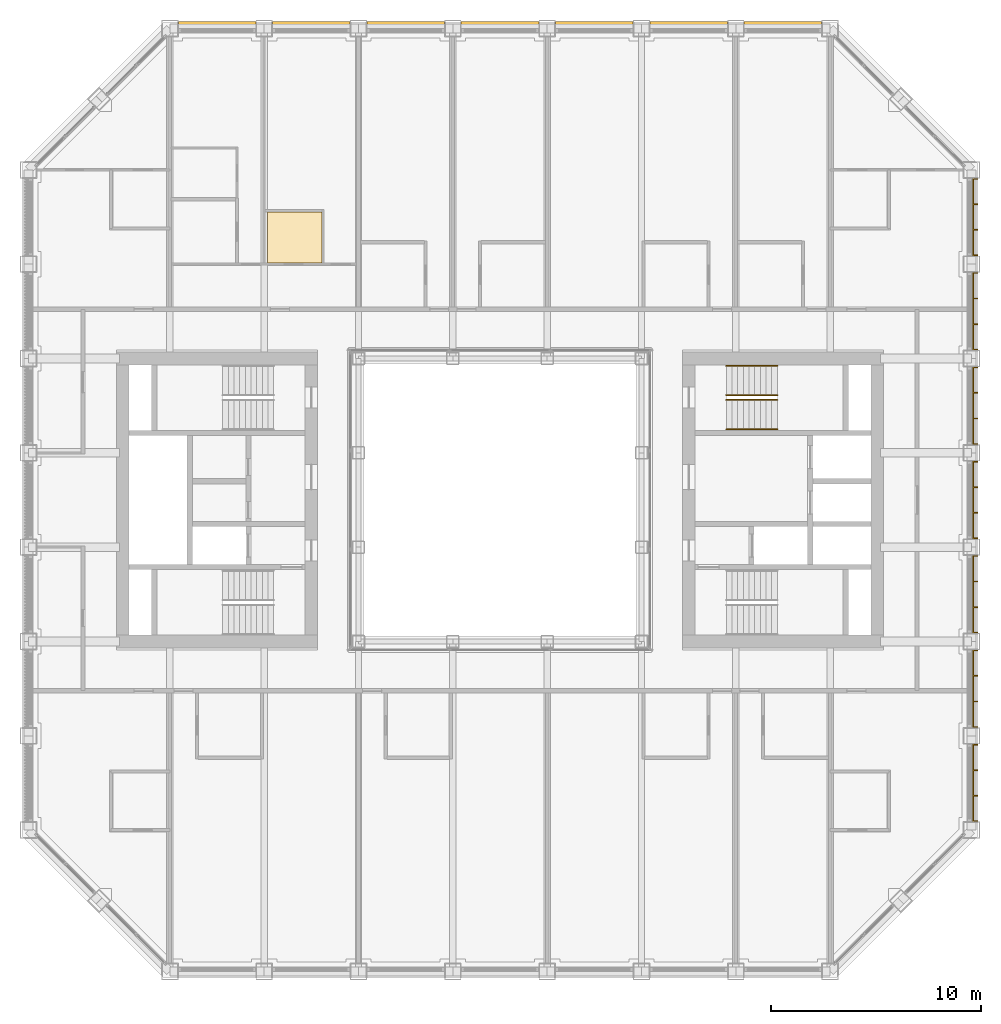
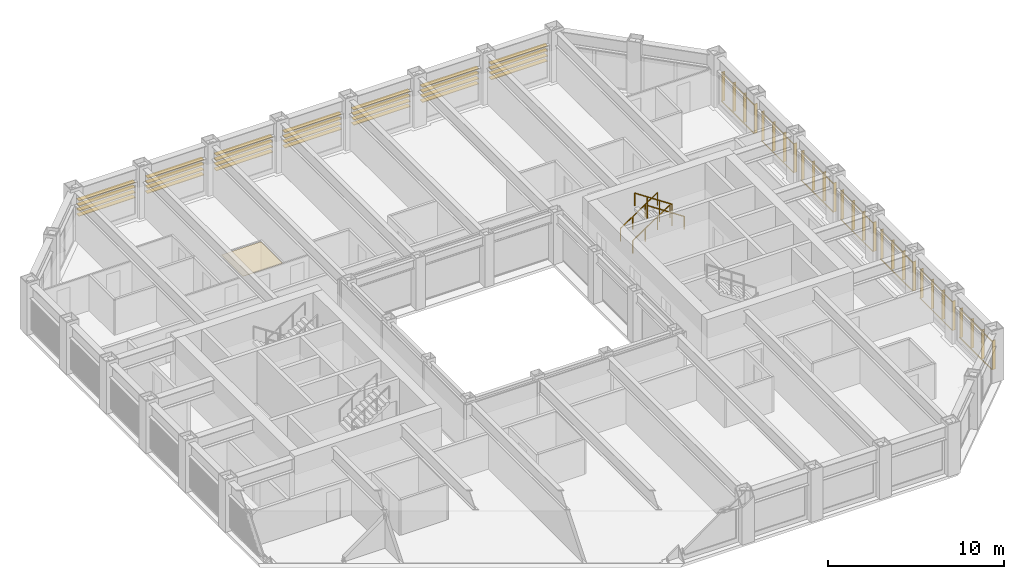
# One storey, part 17 of 17: 4 railings, 2 shading devices, 1 covering.
"""IFC4 building model written with IfcOpenShell, lengths in metres."""

import ifcopenshell
import ifcopenshell.guid

model = None  # the IFC model being written
_history = None  # IfcOwnerHistory: only IFC2X3 demands one
_inside = {}  # id of a spatial element -> (the spatial element, [elements in it])
_under = {}  # id of a project, library or spatial element -> (it, [spatial elements below it])
_declared = {}  # id of a project -> (the project, [libraries it declares])
_typed = {}  # id of a type object -> (the type object, [elements of that type])
_made_of = {}  # id of a material, layer set ... -> (it, [elements and type objects made of it])


def new_model(schema):
    """Start an empty IFC model of exactly this schema.

    Asked for "IFC4X3", IfcOpenShell would pick the latest addendum, in which some entities
    have other attributes; the version numbers below select the first issue.
    IFC2X3 requires an IfcOwnerHistory on every rooted entity: one is made here for all.
    """
    global model, _history
    if schema == "IFC4X3":
        model = ifcopenshell.file(schema_version=(4, 3, 0, 0))
    else:
        model = ifcopenshell.file(schema=schema)
    _inside.clear()
    _under.clear()
    _declared.clear()
    _typed.clear()
    _made_of.clear()
    _history = None
    if model.schema == "IFC2X3":
        org = make("IfcOrganization", Name="unknown")
        user = make(
            "IfcPersonAndOrganization",
            ThePerson=make("IfcPerson", FamilyName="unknown"),
            TheOrganization=org,
        )
        app = make(
            "IfcApplication",
            ApplicationDeveloper=org,
            Version="unknown",
            ApplicationFullName="unknown",
            ApplicationIdentifier="unknown",
        )
        _history = make(
            "IfcOwnerHistory",
            OwningUser=user,
            OwningApplication=app,
            ChangeAction="ADDED",
            CreationDate=0,
        )
    return model


def make(cls, **values):
    """One entity of the class cls with the attributes given. An attribute that is None is left unset."""
    return model.create_entity(
        cls, **{name: value for name, value in values.items() if value is not None}
    )


def rooted(cls, **values):
    """An entity with a GlobalId (a new one), such as an element, a storey or a relation."""
    return make(cls, GlobalId=ifcopenshell.guid.new(), OwnerHistory=_history, **values)


def si_unit(unit_type, name, prefix=None):
    """IfcSIUnit, for example si_unit("LENGTHUNIT", "METRE", prefix="MILLI")."""
    return make("IfcSIUnit", UnitType=unit_type, Prefix=prefix, Name=name)


def assignment(units):
    """IfcUnitAssignment: the units of a project."""
    return None if units is None else make("IfcUnitAssignment", Units=units)


def point(xyz):
    """IfcCartesianPoint."""
    return None if xyz is None else make("IfcCartesianPoint", Coordinates=xyz)


def direction(xyz):
    """IfcDirection."""
    return None if xyz is None else make("IfcDirection", DirectionRatios=xyz)


def frame(location, z_axis=None, x_axis=None):
    """IfcAxis2Placement3D, a coordinate frame: its origin and axes. An axis left out is left unset."""
    return make(
        "IfcAxis2Placement3D",
        Location=point(location),
        Axis=direction(z_axis),
        RefDirection=direction(x_axis),
    )


def frame_2d(location, x_axis=None):
    """IfcAxis2Placement2D, a coordinate frame in the plane: its origin and x axis."""
    return make(
        "IfcAxis2Placement2D", Location=point(location), RefDirection=direction(x_axis)
    )


def origin():
    """The frame at (0, 0, 0) with its axes left unset."""
    return frame((0.0, 0.0, 0.0))


def origin_2d():
    """The frame at (0, 0) in the plane with its x axis left unset."""
    return frame_2d((0.0, 0.0))


def place(relative_to, where):
    """IfcLocalPlacement: puts the frame where relative to a parent placement (None: the world)."""
    return make(
        "IfcLocalPlacement", PlacementRelTo=relative_to, RelativePlacement=where
    )


def context(
    kind, dimensions, precision=None, world=None, true_north=None, identifier=None
):
    """IfcGeometricRepresentationContext, for example the 3D "Model" context."""
    return make(
        "IfcGeometricRepresentationContext",
        ContextIdentifier=identifier,
        ContextType=kind,
        CoordinateSpaceDimension=dimensions,
        Precision=precision,
        WorldCoordinateSystem=world,
        TrueNorth=true_north,
    )


def subcontext(parent, identifier, kind, view, scale=None):
    """IfcGeometricRepresentationSubContext, for example "Body" below "Model"."""
    return make(
        "IfcGeometricRepresentationSubContext",
        ContextIdentifier=identifier,
        ContextType=kind,
        ParentContext=parent,
        TargetScale=scale,
        TargetView=view,
    )


def project(units=None, contexts=None):
    """IfcProject with its units and contexts."""
    return rooted(
        "IfcProject",
        Name="project",
        RepresentationContexts=contexts,
        UnitsInContext=assignment(units),
    )


def spatial(cls, under=None, at=None, **own):
    """A site, building, storey or space (cls), placed at a placement, below another one or the project."""
    s = rooted(cls, ObjectPlacement=at, **own)
    if under is not None:
        _under.setdefault(under.id(), (under, []))[1].append(s)
    return s


def point_list(points):
    """IfcCartesianPointList2D or 3D."""
    cls = (
        "IfcCartesianPointList2D" if len(points[0]) == 2 else "IfcCartesianPointList3D"
    )
    return make(cls, CoordList=points)


def line(*indices):
    """IfcLineIndex: a straight run through numbered points of an indexed curve."""
    return model.create_entity("IfcLineIndex", indices)


def indexed_curve(points, segments=None, self_intersect=None):
    """IfcIndexedPolyCurve: lines and arcs through numbered points (the first is 1)."""
    return make(
        "IfcIndexedPolyCurve",
        Points=point_list(points),
        Segments=segments,
        SelfIntersect=self_intersect,
    )


def profile(cls, at=None, kind="AREA", **sizes):
    """A parametric profile (cls). Its sizes go by their IFC names, for example OverallWidth=200.0."""
    return make(cls, ProfileType=kind, Position=at, **sizes)


def rectangle(**sizes):
    """IfcRectangleProfileDef."""
    return profile("IfcRectangleProfileDef", **sizes)


def circle(**sizes):
    """IfcCircleProfileDef."""
    return profile("IfcCircleProfileDef", **sizes)


def outline(outer, holes=None, kind="AREA"):
    """IfcArbitraryClosedProfileDef: a profile drawn as a closed curve; with holes, ...WithVoids."""
    if holes is None:
        return make("IfcArbitraryClosedProfileDef", ProfileType=kind, OuterCurve=outer)
    return make(
        "IfcArbitraryProfileDefWithVoids",
        ProfileType=kind,
        OuterCurve=outer,
        InnerCurves=holes,
    )


def extrude(swept, where, along, depth):
    """IfcExtrudedAreaSolid: the profile swept, set in the frame where, extruded along a direction by depth."""
    return make(
        "IfcExtrudedAreaSolid",
        SweptArea=swept,
        Position=where,
        ExtrudedDirection=direction(along),
        Depth=depth,
    )


def shape(context_of_items, identifier, shape_type, items):
    """IfcShapeRepresentation: the items that make up one representation, for example the "Body"."""
    return make(
        "IfcShapeRepresentation",
        ContextOfItems=context_of_items,
        RepresentationIdentifier=identifier,
        RepresentationType=shape_type,
        Items=items,
    )


def material(Name=None, Category=None):
    """IfcMaterial."""
    return make("IfcMaterial", Name=Name, Category=Category)


def layer(
    of_material, thickness, ventilated=None, Name=None, Category=None, Priority=None
):
    """IfcMaterialLayer: one layer of a wall or slab, of a material (None: an air gap)."""
    return make(
        "IfcMaterialLayer",
        Material=of_material,
        LayerThickness=thickness,
        IsVentilated=ventilated,
        Name=Name,
        Category=Category,
        Priority=Priority,
    )


def layer_set(layers, Name=None):
    """IfcMaterialLayerSet."""
    return make("IfcMaterialLayerSet", MaterialLayers=layers, LayerSetName=Name)


def made_of(thing, what):
    """Note that an element or type object is made of a material, layer set ...; save() writes the relation."""
    if what is not None:
        _made_of.setdefault(what.id(), (what, []))[1].append(thing)
    return thing


def type_object(cls, material=None, **own):
    """A type object (cls), such as IfcWallType, which elements share."""
    return made_of(rooted(cls, **own), material)


def element(
    cls,
    number,
    at=None,
    inside=None,
    cuts=None,
    type_object=None,
    material=None,
    context=None,
    identifier="Body",
    shape_type=None,
    held_by="IfcProductDefinitionShape",
    body=None,
    shapes=None,
    **own,
):
    """One element of the class cls, such as IfcWall. Its Tag is "e" and its number.

    at: its placement. inside: the storey or other place that contains it. cuts: it is an
    opening in that element (IfcRelVoidsElement). A single representation is given by context,
    identifier, shape_type and body (its items); several are given by shapes. held_by: the class
    of the entity that holds the representations. save() writes the other relations.
    """
    e = rooted(cls, Tag="e%d" % number, ObjectPlacement=at, **own)
    if body is not None:
        shapes = [shape(context, identifier, shape_type, body)]
    if shapes is not None:
        e.Representation = make(held_by, Representations=shapes)
    if inside is not None:
        _inside.setdefault(inside.id(), (inside, []))[1].append(e)
    if cuts is not None:
        rooted(
            "IfcRelVoidsElement", RelatingBuildingElement=cuts, RelatedOpeningElement=e
        )
    if type_object is not None:
        _typed.setdefault(type_object.id(), (type_object, []))[1].append(e)
    return made_of(e, material)


def aggregate(whole, parts):
    """IfcRelAggregates: a whole, such as a stair, and the parts it consists of."""
    return rooted("IfcRelAggregates", RelatingObject=whole, RelatedObjects=parts)


def save(model, path):
    """Write the relations noted so far, then the file.

    IfcRelAggregates (storeys below a building ...), IfcRelContainedInSpatialStructure (elements
    in a storey), IfcRelDefinesByType, IfcRelAssociatesMaterial and IfcRelDeclares: one each for
    every whole, place, type object, material and project.
    """
    for whole, parts in _under.values():
        aggregate(whole, parts)
    for where, things in _inside.values():
        rooted(
            "IfcRelContainedInSpatialStructure",
            RelatedElements=things,
            RelatingStructure=where,
        )
    for kind, things in _typed.values():
        rooted("IfcRelDefinesByType", RelatedObjects=things, RelatingType=kind)
    for what, things in _made_of.values():
        rooted("IfcRelAssociatesMaterial", RelatedObjects=things, RelatingMaterial=what)
    for by, libraries in _declared.values():
        rooted("IfcRelDeclares", RelatingContext=by, RelatedDefinitions=libraries)
    model.write(path)


model = new_model("IFC4")

# Units and contexts
model_context = context("Model", 3, precision=1e-05, world=origin(), true_north=direction((0.0, 1.0)))
body_context = subcontext(model_context, "Body", "Model", "MODEL_VIEW")
ifc_project = project(units=[si_unit("LENGTHUNIT", "METRE"), si_unit("AREAUNIT", "SQUARE_METRE"), si_unit("VOLUMEUNIT", "CUBIC_METRE"), si_unit("PLANEANGLEUNIT", "RADIAN"), si_unit("MASSUNIT", "GRAM", prefix="KILO")], contexts=[model_context])

# Site, building, storey
site_placement = place(None, origin())
site = spatial("IfcSite", under=ifc_project, at=site_placement, CompositionType="ELEMENT")
building_placement = place(site_placement, origin())
building = spatial("IfcBuilding", under=site, at=building_placement, Name="Msasa Ring Tower", CompositionType="ELEMENT")
storey_placement = place(building_placement, frame((0.0, 0.0, 176.0)))
storey = spatial("IfcBuildingStorey", under=building, at=storey_placement, Name="L46", CompositionType="ELEMENT", Elevation=176.0)

# Shading device
ifc_material_1 = material(Name="Extruded terracotta on aluminium carriers", Category="masonry")
shading_device_type_1 = type_object("IfcShadingDeviceType", Name="BS2 TERRACOTTA FIN SCREEN 40x200 AT 1350", PredefinedType="USERDEFINED", material=ifc_material_1)
shading_device_1_placement = place(storey_placement, origin())
element("IfcShadingDevice", 1, at=shading_device_1_placement, inside=storey, type_object=shading_device_type_1, Name="Terracotta fin screen E L46", ObjectType="BAGUETTE", PredefinedType="USERDEFINED", context=body_context, shape_type="SweptSolid", body=[
    extrude(rectangle(XDim=0.06005859375, YDim=0.0400390625, at=origin_2d()), frame((22.580078125, -15.35009765625, 0.330078125), z_axis=(0.0, 1.0, 0.0), x_axis=(0.0, 0.0, 1.0)), (0.0, 0.0, 1.0), 3.699951171875),
    extrude(rectangle(XDim=0.06005859375, YDim=0.0400390625, at=origin_2d()), frame((22.580078125, -15.35009765625, 2.299072265625), z_axis=(0.0, 1.0, 0.0), x_axis=(0.0, 0.0, 1.0)), (0.0, 0.0, 1.0), 3.699951171875),
    extrude(rectangle(XDim=0.0400390625, YDim=0.199951171875, at=origin_2d()), frame((22.695068359375, -15.330078125, 0.300048828125), z_axis=(0.0, 0.0, 1.0), x_axis=(0.0, 1.0, 0.0)), (0.0, 0.0, 1.0), 2.029052734375),
    extrude(rectangle(XDim=0.0400390625, YDim=0.199951171875, at=origin_2d()), frame((22.695068359375, -14.110107421875, 0.300048828125), z_axis=(0.0, 0.0, 1.0), x_axis=(0.0, 1.0, 0.0)), (0.0, 0.0, 1.0), 2.029052734375),
    extrude(rectangle(XDim=0.0400390625, YDim=0.199951171875, at=origin_2d()), frame((22.695068359375, -12.889892578125, 0.300048828125), z_axis=(0.0, 0.0, 1.0), x_axis=(0.0, 1.0, 0.0)), (0.0, 0.0, 1.0), 2.029052734375),
    extrude(rectangle(XDim=0.0400390625, YDim=0.199951171875, at=origin_2d()), frame((22.695068359375, -11.669921875, 0.300048828125), z_axis=(0.0, 0.0, 1.0), x_axis=(0.0, 1.0, 0.0)), (0.0, 0.0, 1.0), 2.029052734375),
    extrude(rectangle(XDim=0.06005859375, YDim=0.0400390625, at=origin_2d()), frame((22.580078125, -10.85009765625, 0.330078125), z_axis=(0.0, 1.0, 0.0), x_axis=(0.0, 0.0, 1.0)), (0.0, 0.0, 1.0), 3.699951171875),
    extrude(rectangle(XDim=0.06005859375, YDim=0.0400390625, at=origin_2d()), frame((22.580078125, -10.85009765625, 2.299072265625), z_axis=(0.0, 1.0, 0.0), x_axis=(0.0, 0.0, 1.0)), (0.0, 0.0, 1.0), 3.699951171875),
    extrude(rectangle(XDim=0.0400390625, YDim=0.199951171875, at=origin_2d()), frame((22.695068359375, -10.830078125, 0.300048828125), z_axis=(0.0, 0.0, 1.0), x_axis=(0.0, 1.0, 0.0)), (0.0, 0.0, 1.0), 2.029052734375),
    extrude(rectangle(XDim=0.0400390625, YDim=0.199951171875, at=origin_2d()), frame((22.695068359375, -9.610107421875, 0.300048828125), z_axis=(0.0, 0.0, 1.0), x_axis=(0.0, 1.0, 0.0)), (0.0, 0.0, 1.0), 2.029052734375),
    extrude(rectangle(XDim=0.0400390625, YDim=0.199951171875, at=origin_2d()), frame((22.695068359375, -8.389892578125, 0.300048828125), z_axis=(0.0, 0.0, 1.0), x_axis=(0.0, 1.0, 0.0)), (0.0, 0.0, 1.0), 2.029052734375),
    extrude(rectangle(XDim=0.0400390625, YDim=0.199951171875, at=origin_2d()), frame((22.695068359375, -7.169921875, 0.300048828125), z_axis=(0.0, 0.0, 1.0), x_axis=(0.0, 1.0, 0.0)), (0.0, 0.0, 1.0), 2.029052734375),
    extrude(rectangle(XDim=0.06005859375, YDim=0.0400390625, at=origin_2d()), frame((22.580078125, -6.35009765625, 0.330078125), z_axis=(0.0, 1.0, 0.0), x_axis=(0.0, 0.0, 1.0)), (0.0, 0.0, 1.0), 3.699951171875),
    extrude(rectangle(XDim=0.06005859375, YDim=0.0400390625, at=origin_2d()), frame((22.580078125, -6.35009765625, 2.299072265625), z_axis=(0.0, 1.0, 0.0), x_axis=(0.0, 0.0, 1.0)), (0.0, 0.0, 1.0), 3.699951171875),
    extrude(rectangle(XDim=0.0400390625, YDim=0.199951171875, at=origin_2d()), frame((22.695068359375, -6.330078125, 0.300048828125), z_axis=(0.0, 0.0, 1.0), x_axis=(0.0, 1.0, 0.0)), (0.0, 0.0, 1.0), 2.029052734375),
    extrude(rectangle(XDim=0.0400390625, YDim=0.199951171875, at=origin_2d()), frame((22.695068359375, -5.110107421875, 0.300048828125), z_axis=(0.0, 0.0, 1.0), x_axis=(0.0, 1.0, 0.0)), (0.0, 0.0, 1.0), 2.029052734375),
    extrude(rectangle(XDim=0.0400390625, YDim=0.199951171875, at=origin_2d()), frame((22.695068359375, -3.889892578125, 0.300048828125), z_axis=(0.0, 0.0, 1.0), x_axis=(0.0, 1.0, 0.0)), (0.0, 0.0, 1.0), 2.029052734375),
    extrude(rectangle(XDim=0.0400390625, YDim=0.199951171875, at=origin_2d()), frame((22.695068359375, -2.669921875, 0.300048828125), z_axis=(0.0, 0.0, 1.0), x_axis=(0.0, 1.0, 0.0)), (0.0, 0.0, 1.0), 2.029052734375),
    extrude(rectangle(XDim=0.06005859375, YDim=0.0400390625, at=origin_2d()), frame((22.580078125, -1.85009765625, 0.330078125), z_axis=(0.0, 1.0, 0.0), x_axis=(0.0, 0.0, 1.0)), (0.0, 0.0, 1.0), 3.699951171875),
    extrude(rectangle(XDim=0.06005859375, YDim=0.0400390625, at=origin_2d()), frame((22.580078125, -1.85009765625, 2.299072265625), z_axis=(0.0, 1.0, 0.0), x_axis=(0.0, 0.0, 1.0)), (0.0, 0.0, 1.0), 3.699951171875),
    extrude(rectangle(XDim=0.0400390625, YDim=0.199951171875, at=origin_2d()), frame((22.695068359375, -1.830078125, 0.300048828125), z_axis=(0.0, 0.0, 1.0), x_axis=(0.0, 1.0, 0.0)), (0.0, 0.0, 1.0), 2.029052734375),
    extrude(rectangle(XDim=0.0400390625, YDim=0.199951171875, at=origin_2d()), frame((22.695068359375, -0.610107421875, 0.300048828125), z_axis=(0.0, 0.0, 1.0), x_axis=(0.0, 1.0, 0.0)), (0.0, 0.0, 1.0), 2.029052734375),
    extrude(rectangle(XDim=0.0400390625, YDim=0.199951171875, at=origin_2d()), frame((22.695068359375, 0.610107421875, 0.300048828125), z_axis=(0.0, 0.0, 1.0), x_axis=(0.0, 1.0, 0.0)), (0.0, 0.0, 1.0), 2.029052734375),
    extrude(rectangle(XDim=0.0400390625, YDim=0.199951171875, at=origin_2d()), frame((22.695068359375, 1.830078125, 0.300048828125), z_axis=(0.0, 0.0, 1.0), x_axis=(0.0, 1.0, 0.0)), (0.0, 0.0, 1.0), 2.029052734375),
    extrude(rectangle(XDim=0.06005859375, YDim=0.0400390625, at=origin_2d()), frame((22.580078125, 2.64990234375, 0.330078125), z_axis=(0.0, 1.0, 0.0), x_axis=(0.0, 0.0, 1.0)), (0.0, 0.0, 1.0), 3.699951171875),
    extrude(rectangle(XDim=0.06005859375, YDim=0.0400390625, at=origin_2d()), frame((22.580078125, 2.64990234375, 2.299072265625), z_axis=(0.0, 1.0, 0.0), x_axis=(0.0, 0.0, 1.0)), (0.0, 0.0, 1.0), 3.699951171875),
    extrude(rectangle(XDim=0.0400390625, YDim=0.199951171875, at=origin_2d()), frame((22.695068359375, 2.669921875, 0.300048828125), z_axis=(0.0, 0.0, 1.0), x_axis=(0.0, 1.0, 0.0)), (0.0, 0.0, 1.0), 2.029052734375),
    extrude(rectangle(XDim=0.0400390625, YDim=0.199951171875, at=origin_2d()), frame((22.695068359375, 3.889892578125, 0.300048828125), z_axis=(0.0, 0.0, 1.0), x_axis=(0.0, 1.0, 0.0)), (0.0, 0.0, 1.0), 2.029052734375),
    extrude(rectangle(XDim=0.0400390625, YDim=0.199951171875, at=origin_2d()), frame((22.695068359375, 5.110107421875, 0.300048828125), z_axis=(0.0, 0.0, 1.0), x_axis=(0.0, 1.0, 0.0)), (0.0, 0.0, 1.0), 2.029052734375),
    extrude(rectangle(XDim=0.0400390625, YDim=0.199951171875, at=origin_2d()), frame((22.695068359375, 6.330078125, 0.300048828125), z_axis=(0.0, 0.0, 1.0), x_axis=(0.0, 1.0, 0.0)), (0.0, 0.0, 1.0), 2.029052734375),
    extrude(rectangle(XDim=0.06005859375, YDim=0.0400390625, at=origin_2d()), frame((22.580078125, 7.14990234375, 0.330078125), z_axis=(0.0, 1.0, 0.0), x_axis=(0.0, 0.0, 1.0)), (0.0, 0.0, 1.0), 3.699951171875),
    extrude(rectangle(XDim=0.06005859375, YDim=0.0400390625, at=origin_2d()), frame((22.580078125, 7.14990234375, 2.299072265625), z_axis=(0.0, 1.0, 0.0), x_axis=(0.0, 0.0, 1.0)), (0.0, 0.0, 1.0), 3.699951171875),
    extrude(rectangle(XDim=0.0400390625, YDim=0.199951171875, at=origin_2d()), frame((22.695068359375, 7.169921875, 0.300048828125), z_axis=(0.0, 0.0, 1.0), x_axis=(0.0, 1.0, 0.0)), (0.0, 0.0, 1.0), 2.029052734375),
    extrude(rectangle(XDim=0.0400390625, YDim=0.199951171875, at=origin_2d()), frame((22.695068359375, 8.389892578125, 0.300048828125), z_axis=(0.0, 0.0, 1.0), x_axis=(0.0, 1.0, 0.0)), (0.0, 0.0, 1.0), 2.029052734375),
    extrude(rectangle(XDim=0.0400390625, YDim=0.199951171875, at=origin_2d()), frame((22.695068359375, 9.610107421875, 0.300048828125), z_axis=(0.0, 0.0, 1.0), x_axis=(0.0, 1.0, 0.0)), (0.0, 0.0, 1.0), 2.029052734375),
    extrude(rectangle(XDim=0.0400390625, YDim=0.199951171875, at=origin_2d()), frame((22.695068359375, 10.830078125, 0.300048828125), z_axis=(0.0, 0.0, 1.0), x_axis=(0.0, 1.0, 0.0)), (0.0, 0.0, 1.0), 2.029052734375),
    extrude(rectangle(XDim=0.06005859375, YDim=0.0400390625, at=origin_2d()), frame((22.580078125, 11.64990234375, 0.330078125), z_axis=(0.0, 1.0, 0.0), x_axis=(0.0, 0.0, 1.0)), (0.0, 0.0, 1.0), 3.699951171875),
    extrude(rectangle(XDim=0.06005859375, YDim=0.0400390625, at=origin_2d()), frame((22.580078125, 11.64990234375, 2.299072265625), z_axis=(0.0, 1.0, 0.0), x_axis=(0.0, 0.0, 1.0)), (0.0, 0.0, 1.0), 3.699951171875),
    extrude(rectangle(XDim=0.0400390625, YDim=0.199951171875, at=origin_2d()), frame((22.695068359375, 11.669921875, 0.300048828125), z_axis=(0.0, 0.0, 1.0), x_axis=(0.0, 1.0, 0.0)), (0.0, 0.0, 1.0), 2.029052734375),
    extrude(rectangle(XDim=0.0400390625, YDim=0.199951171875, at=origin_2d()), frame((22.695068359375, 12.889892578125, 0.300048828125), z_axis=(0.0, 0.0, 1.0), x_axis=(0.0, 1.0, 0.0)), (0.0, 0.0, 1.0), 2.029052734375),
    extrude(rectangle(XDim=0.0400390625, YDim=0.199951171875, at=origin_2d()), frame((22.695068359375, 14.110107421875, 0.300048828125), z_axis=(0.0, 0.0, 1.0), x_axis=(0.0, 1.0, 0.0)), (0.0, 0.0, 1.0), 2.029052734375),
    extrude(rectangle(XDim=0.0400390625, YDim=0.199951171875, at=origin_2d()), frame((22.695068359375, 15.330078125, 0.300048828125), z_axis=(0.0, 0.0, 1.0), x_axis=(0.0, 1.0, 0.0)), (0.0, 0.0, 1.0), 2.029052734375),
])

# Covering
ifc_material_2 = material(Name="Perforated aluminium ceiling pans on a steel grid", Category="steel")
ifc_layer = layer(ifc_material_2, 0.02490234375)
ifc_layer_set = layer_set([ifc_layer], Name="C4 PERFORATED METAL PAN CEILING 25")
covering_type = type_object("IfcCoveringType", Name="C4 PERFORATED METAL PAN CEILING 25", PredefinedType="CEILING", material=ifc_layer_set)
covering_placement = place(storey_placement, frame((0.0, 0.0, 2.39990234375)))
element("IfcCovering", 2, at=covering_placement, inside=storey, type_object=covering_type, Name="Perforated Metal Pan Ceiling 25 L46", PredefinedType="CEILING", context=body_context, shape_type="SweptSolid", body=[
    extrude(outline(indexed_curve([(-8.50048828125, 13.74951171875), (-8.50048828125, 11.300537109375), (-11.095703125, 11.300537109375), (-11.095703125, 13.74951171875)], segments=[line(1, 2, 3, 4, 1)], self_intersect=False)), origin(), (0.0, 0.0, 1.0), 0.025146484375),
])

# Railings
ifc_material_3 = material(Name="Stainless steel", Category="steel")
railing_type = type_object("IfcRailingType", Name="HR1 HANDRAIL 900", PredefinedType="HANDRAIL", material=ifc_material_3)
for number, where, name in (
    (3, (10.800048828125, 5.0, 0.179931640625), "Handrail stair SEB L46 1"),
    (4, (10.800048828125, 6.39990234375, 0.179931640625), "Handrail stair SEB L46 2"),
):
    element("IfcRailing", number, at=place(storey_placement, frame(where)), inside=storey, type_object=railing_type, Name=name, PredefinedType="HANDRAIL", context=body_context, shape_type="SweptSolid", body=[
        extrude(circle(Radius=0.02392578125, at=origin_2d()), frame((0.0, 0.0, 0.8759765625), z_axis=(0.832024571796, 0.0, 0.554738778101), x_axis=(0.0, 1.0, 0.0)), (0.0, 0.0, 1.0), 2.92041015625),
        extrude(circle(Radius=0.02099609375, at=origin_2d()), origin(), (0.0, 0.0, 1.0), 0.851806640625),
        extrude(circle(Radius=0.02099609375, at=origin_2d()), frame((0.81005859375, 0.0, 0.5400390625)), (0.0, 0.0, 1.0), 0.851806640625),
        extrude(circle(Radius=0.02099609375, at=origin_2d()), frame((1.619873046875, 0.0, 1.080078125)), (0.0, 0.0, 1.0), 0.851806640625),
        extrude(circle(Radius=0.02099609375, at=origin_2d()), frame((2.429931640625, 0.0, 1.6201171875)), (0.0, 0.0, 1.0), 0.851806640625),
    ])
for number, where, name in (
    (5, (13.22998046875, 3.375, 1.97998046875), "Handrail stair SEB L46 3"),
    (6, (13.22998046875, 4.77490234375, 1.97998046875), "Handrail stair SEB L46 4"),
):
    element("IfcRailing", number, at=place(storey_placement, frame(where)), inside=storey, type_object=railing_type, Name=name, PredefinedType="HANDRAIL", context=body_context, shape_type="SweptSolid", body=[
        extrude(circle(Radius=0.02392578125, at=origin_2d()), frame((0.0, 0.0, 0.8759765625), z_axis=(-0.832024571796, 0.0, 0.554738778101), x_axis=(0.0, -1.0, 0.0)), (0.0, 0.0, 1.0), 2.92041015625),
        extrude(circle(Radius=0.02099609375, at=origin_2d()), origin(), (0.0, 0.0, 1.0), 0.851806640625),
        extrude(circle(Radius=0.02099609375, at=origin_2d()), frame((-0.81005859375, 0.0, 0.5400390625)), (0.0, 0.0, 1.0), 0.851806640625),
        extrude(circle(Radius=0.02099609375, at=origin_2d()), frame((-1.619873046875, 0.0, 1.080078125)), (0.0, 0.0, 1.0), 0.851806640625),
        extrude(circle(Radius=0.02099609375, at=origin_2d()), frame((-2.429931640625, 0.0, 1.6201171875)), (0.0, 0.0, 1.0), 0.851806640625),
    ])

# Shading device
ifc_material_4 = material(Name="Extruded terracotta blades", Category="masonry")
shading_device_type_2 = type_object("IfcShadingDeviceType", Name="SS1 TERRACOTTA SUNSHADE 4 BLADES 300x40 AT 350", PredefinedType="USERDEFINED", material=ifc_material_4)
shading_device_2_placement = place(storey_placement, origin())
element("IfcShadingDevice", 7, at=shading_device_2_placement, inside=storey, type_object=shading_device_type_2, Name="Terracotta sunshade N L46", ObjectType="SUNSHADE", PredefinedType="USERDEFINED", context=body_context, shape_type="SweptSolid", body=[
    extrude(rectangle(XDim=0.0400390625, YDim=0.300048828125, at=origin_2d()), frame((-15.35009765625, 22.679931640625, 2.30908203125), z_axis=(1.0, 0.0, 0.0), x_axis=(0.0, 0.0, 1.0)), (0.0, 0.0, 1.0), 3.699951171875),
    extrude(rectangle(XDim=0.0400390625, YDim=0.300048828125, at=origin_2d()), frame((-15.35009765625, 22.679931640625, 1.958984375), z_axis=(1.0, 0.0, 0.0), x_axis=(0.0, 0.0, 1.0)), (0.0, 0.0, 1.0), 3.699951171875),
    extrude(rectangle(XDim=0.0400390625, YDim=0.300048828125, at=origin_2d()), frame((-15.35009765625, 22.679931640625, 1.60888671875), z_axis=(1.0, 0.0, 0.0), x_axis=(0.0, 0.0, 1.0)), (0.0, 0.0, 1.0), 3.699951171875),
    extrude(rectangle(XDim=0.0400390625, YDim=0.300048828125, at=origin_2d()), frame((-15.35009765625, 22.679931640625, 1.259033203125), z_axis=(1.0, 0.0, 0.0), x_axis=(0.0, 0.0, 1.0)), (0.0, 0.0, 1.0), 3.699951171875),
    extrude(rectangle(XDim=0.0400390625, YDim=0.300048828125, at=origin_2d()), frame((-10.85009765625, 22.679931640625, 2.30908203125), z_axis=(1.0, 0.0, 0.0), x_axis=(0.0, 0.0, 1.0)), (0.0, 0.0, 1.0), 3.699951171875),
    extrude(rectangle(XDim=0.0400390625, YDim=0.300048828125, at=origin_2d()), frame((-10.85009765625, 22.679931640625, 1.958984375), z_axis=(1.0, 0.0, 0.0), x_axis=(0.0, 0.0, 1.0)), (0.0, 0.0, 1.0), 3.699951171875),
    extrude(rectangle(XDim=0.0400390625, YDim=0.300048828125, at=origin_2d()), frame((-10.85009765625, 22.679931640625, 1.60888671875), z_axis=(1.0, 0.0, 0.0), x_axis=(0.0, 0.0, 1.0)), (0.0, 0.0, 1.0), 3.699951171875),
    extrude(rectangle(XDim=0.0400390625, YDim=0.300048828125, at=origin_2d()), frame((-10.85009765625, 22.679931640625, 1.259033203125), z_axis=(1.0, 0.0, 0.0), x_axis=(0.0, 0.0, 1.0)), (0.0, 0.0, 1.0), 3.699951171875),
    extrude(rectangle(XDim=0.0400390625, YDim=0.300048828125, at=origin_2d()), frame((-6.35009765625, 22.679931640625, 2.30908203125), z_axis=(1.0, 0.0, 0.0), x_axis=(0.0, 0.0, 1.0)), (0.0, 0.0, 1.0), 3.699951171875),
    extrude(rectangle(XDim=0.0400390625, YDim=0.300048828125, at=origin_2d()), frame((-6.35009765625, 22.679931640625, 1.958984375), z_axis=(1.0, 0.0, 0.0), x_axis=(0.0, 0.0, 1.0)), (0.0, 0.0, 1.0), 3.699951171875),
    extrude(rectangle(XDim=0.0400390625, YDim=0.300048828125, at=origin_2d()), frame((-6.35009765625, 22.679931640625, 1.60888671875), z_axis=(1.0, 0.0, 0.0), x_axis=(0.0, 0.0, 1.0)), (0.0, 0.0, 1.0), 3.699951171875),
    extrude(rectangle(XDim=0.0400390625, YDim=0.300048828125, at=origin_2d()), frame((-6.35009765625, 22.679931640625, 1.259033203125), z_axis=(1.0, 0.0, 0.0), x_axis=(0.0, 0.0, 1.0)), (0.0, 0.0, 1.0), 3.699951171875),
    extrude(rectangle(XDim=0.0400390625, YDim=0.300048828125, at=origin_2d()), frame((-1.85009765625, 22.679931640625, 2.30908203125), z_axis=(1.0, 0.0, 0.0), x_axis=(0.0, 0.0, 1.0)), (0.0, 0.0, 1.0), 3.699951171875),
    extrude(rectangle(XDim=0.0400390625, YDim=0.300048828125, at=origin_2d()), frame((-1.85009765625, 22.679931640625, 1.958984375), z_axis=(1.0, 0.0, 0.0), x_axis=(0.0, 0.0, 1.0)), (0.0, 0.0, 1.0), 3.699951171875),
    extrude(rectangle(XDim=0.0400390625, YDim=0.300048828125, at=origin_2d()), frame((-1.85009765625, 22.679931640625, 1.60888671875), z_axis=(1.0, 0.0, 0.0), x_axis=(0.0, 0.0, 1.0)), (0.0, 0.0, 1.0), 3.699951171875),
    extrude(rectangle(XDim=0.0400390625, YDim=0.300048828125, at=origin_2d()), frame((-1.85009765625, 22.679931640625, 1.259033203125), z_axis=(1.0, 0.0, 0.0), x_axis=(0.0, 0.0, 1.0)), (0.0, 0.0, 1.0), 3.699951171875),
    extrude(rectangle(XDim=0.0400390625, YDim=0.300048828125, at=origin_2d()), frame((2.64990234375, 22.679931640625, 2.30908203125), z_axis=(1.0, 0.0, 0.0), x_axis=(0.0, 0.0, 1.0)), (0.0, 0.0, 1.0), 3.699951171875),
    extrude(rectangle(XDim=0.0400390625, YDim=0.300048828125, at=origin_2d()), frame((2.64990234375, 22.679931640625, 1.958984375), z_axis=(1.0, 0.0, 0.0), x_axis=(0.0, 0.0, 1.0)), (0.0, 0.0, 1.0), 3.699951171875),
    extrude(rectangle(XDim=0.0400390625, YDim=0.300048828125, at=origin_2d()), frame((2.64990234375, 22.679931640625, 1.60888671875), z_axis=(1.0, 0.0, 0.0), x_axis=(0.0, 0.0, 1.0)), (0.0, 0.0, 1.0), 3.699951171875),
    extrude(rectangle(XDim=0.0400390625, YDim=0.300048828125, at=origin_2d()), frame((2.64990234375, 22.679931640625, 1.259033203125), z_axis=(1.0, 0.0, 0.0), x_axis=(0.0, 0.0, 1.0)), (0.0, 0.0, 1.0), 3.699951171875),
    extrude(rectangle(XDim=0.0400390625, YDim=0.300048828125, at=origin_2d()), frame((7.14990234375, 22.679931640625, 2.30908203125), z_axis=(1.0, 0.0, 0.0), x_axis=(0.0, 0.0, 1.0)), (0.0, 0.0, 1.0), 3.699951171875),
    extrude(rectangle(XDim=0.0400390625, YDim=0.300048828125, at=origin_2d()), frame((7.14990234375, 22.679931640625, 1.958984375), z_axis=(1.0, 0.0, 0.0), x_axis=(0.0, 0.0, 1.0)), (0.0, 0.0, 1.0), 3.699951171875),
    extrude(rectangle(XDim=0.0400390625, YDim=0.300048828125, at=origin_2d()), frame((7.14990234375, 22.679931640625, 1.60888671875), z_axis=(1.0, 0.0, 0.0), x_axis=(0.0, 0.0, 1.0)), (0.0, 0.0, 1.0), 3.699951171875),
    extrude(rectangle(XDim=0.0400390625, YDim=0.300048828125, at=origin_2d()), frame((7.14990234375, 22.679931640625, 1.259033203125), z_axis=(1.0, 0.0, 0.0), x_axis=(0.0, 0.0, 1.0)), (0.0, 0.0, 1.0), 3.699951171875),
    extrude(rectangle(XDim=0.0400390625, YDim=0.300048828125, at=origin_2d()), frame((11.64990234375, 22.679931640625, 2.30908203125), z_axis=(1.0, 0.0, 0.0), x_axis=(0.0, 0.0, 1.0)), (0.0, 0.0, 1.0), 3.699951171875),
    extrude(rectangle(XDim=0.0400390625, YDim=0.300048828125, at=origin_2d()), frame((11.64990234375, 22.679931640625, 1.958984375), z_axis=(1.0, 0.0, 0.0), x_axis=(0.0, 0.0, 1.0)), (0.0, 0.0, 1.0), 3.699951171875),
    extrude(rectangle(XDim=0.0400390625, YDim=0.300048828125, at=origin_2d()), frame((11.64990234375, 22.679931640625, 1.60888671875), z_axis=(1.0, 0.0, 0.0), x_axis=(0.0, 0.0, 1.0)), (0.0, 0.0, 1.0), 3.699951171875),
    extrude(rectangle(XDim=0.0400390625, YDim=0.300048828125, at=origin_2d()), frame((11.64990234375, 22.679931640625, 1.259033203125), z_axis=(1.0, 0.0, 0.0), x_axis=(0.0, 0.0, 1.0)), (0.0, 0.0, 1.0), 3.699951171875),
])

save(model, "model.ifc")
